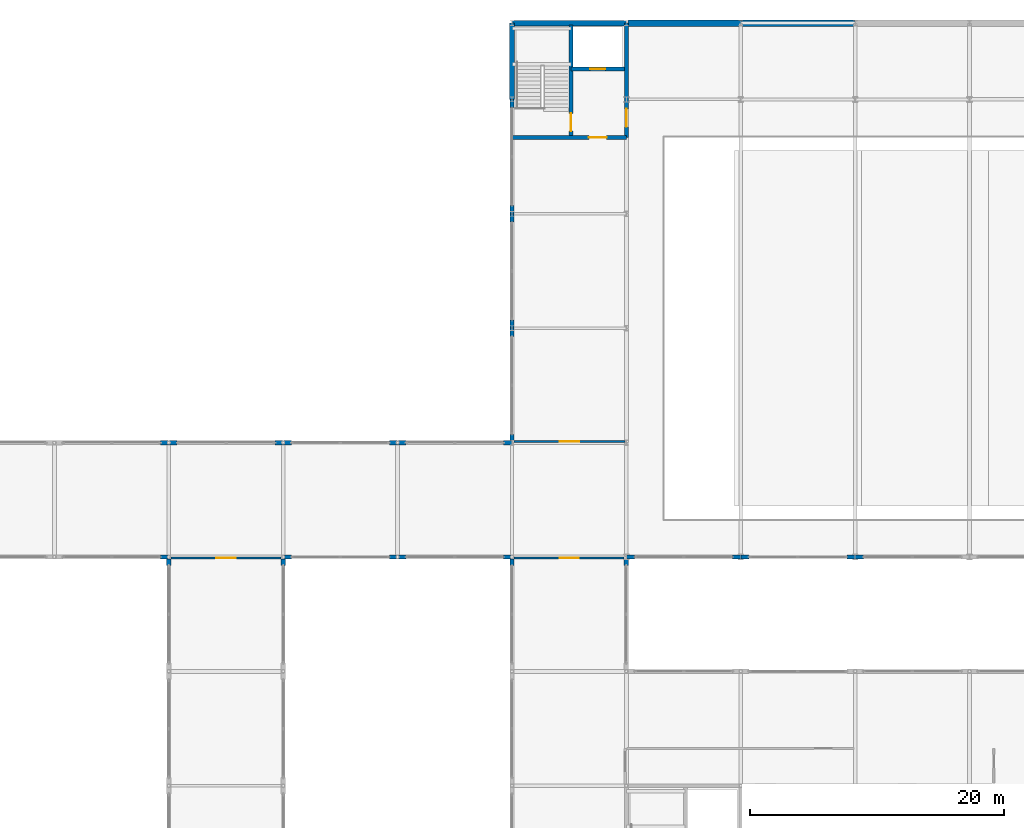
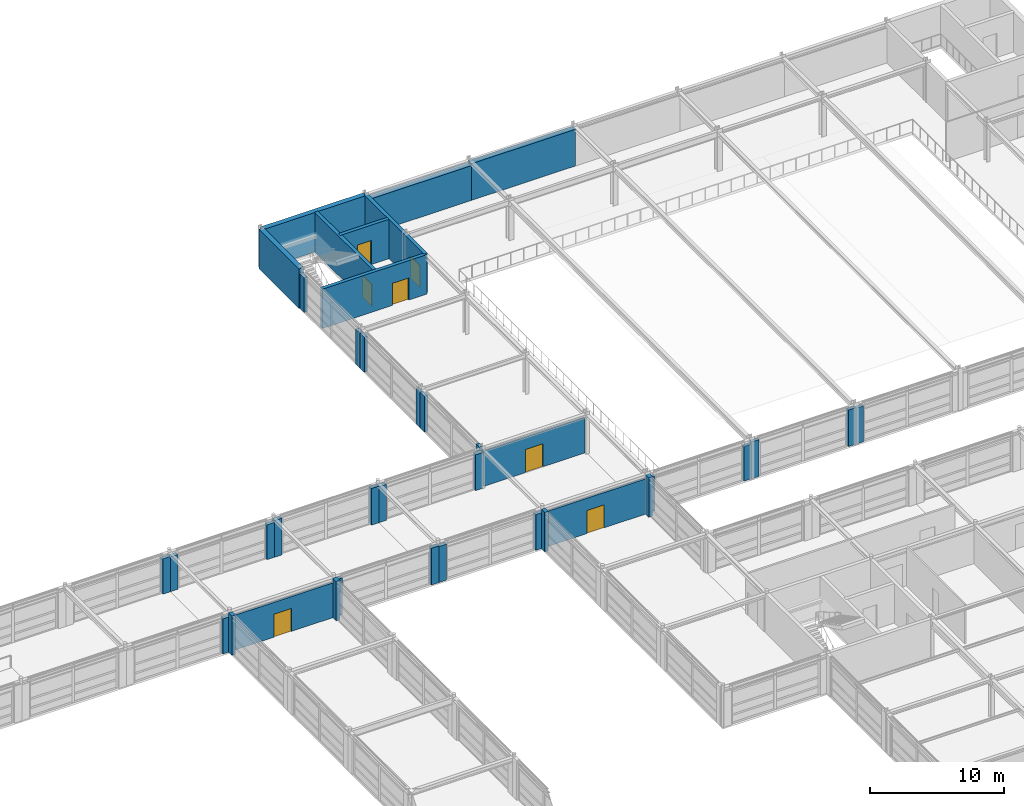
# One storey, part 69 of 79: 38 walls, 7 doors, 7 openings.
"""IFC4 building model written with IfcOpenShell, lengths in metres."""

from ifc_helpers import new_model, si_unit, direction, frame, frame_2d, origin, place, context, subcontext, project, spatial, rectangle, extrude, material, layer, layer_set, type_object, element, fill, save


model = new_model("IFC4")

# Units and contexts
model_context = context("Model", 3, precision=1e-05, world=origin(), true_north=direction((0.0, 1.0)))
body_context = subcontext(model_context, "Body", "Model", "MODEL_VIEW")
ifc_project = project(units=[si_unit("LENGTHUNIT", "METRE"), si_unit("AREAUNIT", "SQUARE_METRE"), si_unit("VOLUMEUNIT", "CUBIC_METRE"), si_unit("PLANEANGLEUNIT", "RADIAN"), si_unit("MASSUNIT", "GRAM", prefix="KILO")], contexts=[model_context])

# Site, building, storey
site_placement = place(None, origin())
site = spatial("IfcSite", under=ifc_project, at=site_placement, CompositionType="ELEMENT")
building_placement = place(site_placement, origin())
building = spatial("IfcBuilding", under=site, at=building_placement, Name="Palais des Congres Ocreval", CompositionType="ELEMENT")
storey_placement = place(building_placement, frame((0.0, 0.0, 4.320068359375)))
storey = spatial("IfcBuildingStorey", under=building, at=storey_placement, Name="L01", CompositionType="ELEMENT", Elevation=4.320068359375)

# Walls
ifc_material_1 = material(Name="Concrete C40/50", Category="concrete")
ifc_layer_1 = layer(ifc_material_1, 0.5)
ifc_layer_set_1 = layer_set([ifc_layer_1], Name="Acoustic Ballroom Wall 500 Concrete C40/50")
wall_type_1 = type_object("IfcWallType", Name="Acoustic Ballroom Wall 500 Concrete C40/50", PredefinedType="SOLIDWALL", material=ifc_layer_set_1)
wall_1_placement = place(storey_placement, frame((108.1298828125, 114.0, 0.0), z_axis=(0.0, 0.0, 1.0), x_axis=(1.0, 0.0, 0.0)))
element("IfcWall", 1, at=wall_1_placement, inside=storey, type_object=wall_type_1, Name="Exterior Wall EW01 L01", PredefinedType="SOLIDWALL", context=body_context, shape_type="SweptSolid", body=[
    extrude(rectangle(XDim=8.8701171875, YDim=0.5, at=frame_2d((4.43505859375, 0.0))), origin(), (0.0, 0.0, 1.0), 3.179931640625),
])
wall_2_placement = place(storey_placement, frame((117.0, 114.0, 0.0), z_axis=(0.0, 0.0, 1.0), x_axis=(1.0, 0.0, 0.0)))
element("IfcWall", 2, at=wall_2_placement, inside=storey, type_object=wall_type_1, Name="Exterior Wall EW01 L01", PredefinedType="SOLIDWALL", context=body_context, shape_type="SweptSolid", body=[
    extrude(rectangle(XDim=9.0, YDim=0.5, at=frame_2d((4.5, 0.0))), origin(), (0.0, 0.0, 1.0), 3.349853515625),
])
ifc_layer_2 = layer(ifc_material_1, 0.419921875)
ifc_layer_set_2 = layer_set([ifc_layer_2], Name="Congress Stone Facade Wall 420 Concrete C40/50")
wall_type_2 = type_object("IfcWallType", Name="Congress Stone Facade Wall 420 Concrete C40/50", PredefinedType="SOLIDWALL", material=ifc_layer_set_2)
wall_3_placement = place(storey_placement, frame((99.0, 108.0, 0.0), z_axis=(0.0, 0.0, 1.0), x_axis=(0.0, 1.0, 0.0)))
element("IfcWall", 3, at=wall_3_placement, inside=storey, type_object=wall_type_2, Name="Core Perimeter Shear Wall EW02 SC07 L01", PredefinedType="SOLIDWALL", context=body_context, shape_type="SweptSolid", body=[
    extrude(rectangle(XDim=6.0, YDim=0.419921875, at=frame_2d((3.0, 0.0))), origin(), (0.0, 0.0, 1.0), 3.599853515625),
])
wall_4_placement = place(storey_placement, frame((99.0, 114.0, 0.0), z_axis=(0.0, 0.0, 1.0), x_axis=(1.0, 0.0, 0.0)))
element("IfcWall", 4, at=wall_4_placement, inside=storey, type_object=wall_type_2, Name="Core Perimeter Shear Wall EW02 SC07 L01", PredefinedType="SOLIDWALL", context=body_context, shape_type="SweptSolid", body=[
    extrude(rectangle(XDim=9.0, YDim=0.419921875, at=frame_2d((4.5, 0.0))), origin(), (0.0, 0.0, 1.0), 3.599853515625),
])

# Wall, opening, door
ifc_layer_3 = layer(ifc_material_1, 0.300048828125)
ifc_layer_set_3 = layer_set([ifc_layer_3], Name="Core Shear Wall 300 Concrete C40/50")
wall_type_3 = type_object("IfcWallType", Name="Core Shear Wall 300 Concrete C40/50", PredefinedType="SHEAR", material=ifc_layer_set_3)
wall_5_placement = place(storey_placement, frame((99.0, 105.0, 0.0), z_axis=(0.0, 0.0, 1.0), x_axis=(1.0, 0.0, 0.0)))
wall_5 = element("IfcWall", 5, at=wall_5_placement, inside=storey, type_object=wall_type_3, Name="Core Shear Wall SC07 L01 S", PredefinedType="SHEAR", context=body_context, shape_type="SweptSolid", body=[
    extrude(rectangle(XDim=9.0, YDim=0.300048828125, at=frame_2d((4.5, 0.0))), origin(), (0.0, 0.0, 1.0), 3.599853515625),
])
opening_1_placement = place(wall_5_placement, frame((6.050048828125, 0.0, 0.0)))
opening_1 = element("IfcOpeningElement", 6, at=opening_1_placement, cuts=wall_5, Name="Opening D03", PredefinedType="OPENING", context=body_context, shape_type="SweptSolid", body=[
    extrude(rectangle(XDim=1.39990234375, YDim=2.02001953125, at=frame_2d((0.699951171875, 1.010009765625))), frame((0.0, 0.159912109375, 0.0), z_axis=(0.0, -1.0, 0.0), x_axis=(1.0, 0.0, 0.0)), (0.0, 0.0, 1.0), 0.320068359375),
])
ifc_material_2 = material(Name="Painted fire-rated steel", Category="steel")
door_type_1 = type_object("IfcDoorType", Name="Core Lobby Rated Door 1400x2020", OperationType="NOTDEFINED", PredefinedType="DOOR", material=ifc_material_2)
door_1_placement = place(opening_1_placement, origin())
door_1 = element("IfcDoor", 7, at=door_1_placement, inside=storey, type_object=door_type_1, Name="Lobby Entrance Door SC07 L01", OperationType="DOUBLE_DOOR_SINGLE_SWING", OverallHeight=2.02001953125, OverallWidth=1.39990234375, PredefinedType="DOOR", context=body_context, shape_type="SweptSolid", body=[
    extrude(rectangle(XDim=1.39990234375, YDim=2.02001953125, at=frame_2d((0.699951171875, 1.010009765625))), frame((0.0, 0.02490234375, 0.0), z_axis=(0.0, -1.0, 0.0), x_axis=(1.0, 0.0, 0.0)), (0.0, 0.0, 1.0), 0.050048828125),
])
fill(opening_1, door_1)

wall_6_placement = place(storey_placement, frame((108.0, 105.0, 0.0), z_axis=(0.0, 0.0, 1.0), x_axis=(0.0, 1.0, 0.0)))
wall_6 = element("IfcWall", 8, at=wall_6_placement, inside=storey, type_object=wall_type_3, Name="Core Shear Wall SC07 L01 E", PredefinedType="SHEAR", context=body_context, shape_type="SweptSolid", body=[
    extrude(rectangle(XDim=9.0, YDim=0.300048828125, at=frame_2d((4.5, 0.0))), origin(), (0.0, 0.0, 1.0), 3.599853515625),
])
opening_2_placement = place(wall_6_placement, frame((0.85009765625, 0.0, 0.0)))
opening_2 = element("IfcOpeningElement", 9, at=opening_2_placement, cuts=wall_6, Name="Opening D03", PredefinedType="OPENING", context=body_context, shape_type="SweptSolid", body=[
    extrude(rectangle(XDim=1.39990234375, YDim=2.02001953125, at=frame_2d((0.699951171875, 1.010009765625))), frame((0.0, 0.159912109375, 0.0), z_axis=(0.0, -1.0, 0.0), x_axis=(1.0, 0.0, 0.0)), (0.0, 0.0, 1.0), 0.320068359375),
])
door_2_placement = place(opening_2_placement, origin())
door_2 = element("IfcDoor", 10, at=door_2_placement, inside=storey, type_object=door_type_1, Name="Ballroom Concourse Lobby Door SC07 L01", OperationType="SINGLE_SWING_LEFT", OverallHeight=2.02001953125, OverallWidth=1.39990234375, PredefinedType="DOOR", context=body_context, shape_type="SweptSolid", body=[
    extrude(rectangle(XDim=1.39990234375, YDim=2.02001953125, at=frame_2d((0.699951171875, 1.010009765625))), frame((0.0, 0.02490234375, 0.0), z_axis=(0.0, -1.0, 0.0), x_axis=(1.0, 0.0, 0.0)), (0.0, 0.0, 1.0), 0.050048828125),
])
fill(opening_2, door_2)

wall_7_placement = place(storey_placement, frame((103.64990234375, 105.14990234375, 0.0), z_axis=(0.0, 0.0, 1.0), x_axis=(0.0, 1.0, 0.0)))
wall_7 = element("IfcWall", 11, at=wall_7_placement, inside=storey, type_object=wall_type_3, Name="Core Spine Shear Wall SC07 L01", PredefinedType="SHEAR", context=body_context, shape_type="SweptSolid", body=[
    extrude(rectangle(XDim=8.7001953125, YDim=0.300048828125, at=frame_2d((4.35009765625, 0.0))), origin(), (0.0, 0.0, 1.0), 3.599853515625),
])
opening_3_placement = place(wall_7_placement, frame((0.35009765625, 0.0, 0.0)))
opening_3 = element("IfcOpeningElement", 12, at=opening_3_placement, cuts=wall_7, Name="Opening D03", PredefinedType="OPENING", context=body_context, shape_type="SweptSolid", body=[
    extrude(rectangle(XDim=1.39990234375, YDim=2.02001953125, at=frame_2d((0.699951171875, 1.010009765625))), frame((0.0, 0.159912109375, 0.0), z_axis=(0.0, -1.0, 0.0), x_axis=(1.0, 0.0, 0.0)), (0.0, 0.0, 1.0), 0.320068359375),
])
door_3_placement = place(opening_3_placement, origin())
door_3 = element("IfcDoor", 13, at=door_3_placement, inside=storey, type_object=door_type_1, Name="Protected Exit Stair Door ST07 L01", OperationType="SINGLE_SWING_LEFT", OverallHeight=2.02001953125, OverallWidth=1.39990234375, PredefinedType="DOOR", context=body_context, shape_type="SweptSolid", body=[
    extrude(rectangle(XDim=1.39990234375, YDim=2.02001953125, at=frame_2d((0.699951171875, 1.010009765625))), frame((0.0, 0.02490234375, 0.0), z_axis=(0.0, -1.0, 0.0), x_axis=(1.0, 0.0, 0.0)), (0.0, 0.0, 1.0), 0.050048828125),
])
fill(opening_3, door_3)

wall_8_placement = place(storey_placement, frame((103.64990234375, 110.39990234375, 0.0), z_axis=(0.0, 0.0, 1.0), x_axis=(1.0, 0.0, 0.0)))
wall_8 = element("IfcWall", 14, at=wall_8_placement, inside=storey, type_object=wall_type_3, Name="Lift Shaft Front Wall SC07 L01", PredefinedType="SHEAR", context=body_context, shape_type="SweptSolid", body=[
    extrude(rectangle(XDim=4.2001953125, YDim=0.300048828125, at=frame_2d((2.10009765625, 0.0))), origin(), (0.0, 0.0, 1.0), 3.599853515625),
])
opening_4_placement = place(wall_8_placement, frame((1.5, 0.0, 0.0)))
opening_4 = element("IfcOpeningElement", 15, at=opening_4_placement, cuts=wall_8, Name="Opening LD02", PredefinedType="OPENING", context=body_context, shape_type="SweptSolid", body=[
    extrude(rectangle(XDim=1.199951171875, YDim=2.199951171875, at=frame_2d((0.60009765625, 1.10009765625))), frame((0.0, 0.159912109375, 0.0), z_axis=(0.0, -1.0, 0.0), x_axis=(1.0, 0.0, 0.0)), (0.0, 0.0, 1.0), 0.320068359375),
])
ifc_material_3 = material(Name="Anodized bronze steel", Category="steel")
door_type_2 = type_object("IfcDoorType", Name="Passenger and Service Lift Sliding Door 1200x2200", OperationType="NOTDEFINED", PredefinedType="DOOR", material=ifc_material_3)
door_4_placement = place(opening_4_placement, origin())
door_4 = element("IfcDoor", 16, at=door_4_placement, inside=storey, type_object=door_type_2, Name="Lift Landing Sliding Door CL2 L01", OperationType="DOUBLE_DOOR_SLIDING", OverallHeight=2.199951171875, OverallWidth=1.199951171875, PredefinedType="DOOR", context=body_context, shape_type="SweptSolid", body=[
    extrude(rectangle(XDim=1.199951171875, YDim=2.199951171875, at=frame_2d((0.60009765625, 1.10009765625))), frame((0.0, 0.02490234375, 0.0), z_axis=(0.0, -1.0, 0.0), x_axis=(1.0, 0.0, 0.0)), (0.0, 0.0, 1.0), 0.050048828125),
])
fill(opening_4, door_4)

ifc_material_4 = material(Name="Gypsum acoustic partition")
ifc_layer_4 = layer(ifc_material_4, 0.159912109375)
ifc_layer_set_4 = layer_set([ifc_layer_4], Name="Corridor Fire Partition 160 Gypsum (Gypsum acoustic partition)")
wall_type_4 = type_object("IfcWallType", Name="Corridor Fire Partition 160 Gypsum", PredefinedType="PARTITIONING", material=ifc_layer_set_4)
wall_9_placement = place(storey_placement, frame((72.175048828125, 71.909912109375, 0.0), z_axis=(0.0, 0.0, 1.0), x_axis=(1.0, 0.0, 0.0)))
wall_9 = element("IfcWall", 17, at=wall_9_placement, inside=storey, type_object=wall_type_4, Name="Interior Partition IW03 L01", PredefinedType="PARTITIONING", context=body_context, shape_type="SweptSolid", body=[
    extrude(rectangle(XDim=8.64990234375, YDim=0.159912109375, at=frame_2d((4.324951171875, 0.0))), origin(), (0.0, 0.0, 1.0), 3.179931640625),
])
opening_5_placement = place(wall_9_placement, frame((3.574951171875, 0.0, 0.0)))
opening_5 = element("IfcOpeningElement", 18, at=opening_5_placement, cuts=wall_9, Name="Opening D04", PredefinedType="OPENING", context=body_context, shape_type="SweptSolid", body=[
    extrude(rectangle(XDim=1.5, YDim=2.10009765625, at=frame_2d((0.75, 1.050048828125))), frame((0.0, 0.08984375, 0.0), z_axis=(0.0, -1.0, 0.0), x_axis=(1.0, 0.0, 0.0)), (0.0, 0.0, 1.0), 0.179931640625),
])
ifc_material_5 = material(Name="Solid French oak fire door", Category="wood")
door_type_3 = type_object("IfcDoorType", Name="Corridor Compartment Double Door 1500x2100", OperationType="NOTDEFINED", PredefinedType="DOOR", material=ifc_material_5)
door_5_placement = place(opening_5_placement, origin())
door_5 = element("IfcDoor", 19, at=door_5_placement, inside=storey, type_object=door_type_3, Name="Interior Door D04 L01", OperationType="DOUBLE_DOOR_SINGLE_SWING", OverallHeight=2.10009765625, OverallWidth=1.5, PredefinedType="DOOR", context=body_context, shape_type="SweptSolid", body=[
    extrude(rectangle(XDim=1.5, YDim=2.10009765625, at=frame_2d((0.75, 1.050048828125))), frame((0.0, 0.02490234375, 0.0), z_axis=(0.0, -1.0, 0.0), x_axis=(1.0, 0.0, 0.0)), (0.0, 0.0, 1.0), 0.050048828125),
])
fill(opening_5, door_5)

wall_10_placement = place(storey_placement, frame((99.175048828125, 71.909912109375, 0.0), z_axis=(0.0, 0.0, 1.0), x_axis=(1.0, 0.0, 0.0)))
wall_10 = element("IfcWall", 20, at=wall_10_placement, inside=storey, type_object=wall_type_4, Name="Interior Partition IW03 L01", PredefinedType="PARTITIONING", context=body_context, shape_type="SweptSolid", body=[
    extrude(rectangle(XDim=8.64990234375, YDim=0.159912109375, at=frame_2d((4.324951171875, 0.0))), origin(), (0.0, 0.0, 1.0), 3.219970703125),
])
opening_6_placement = place(wall_10_placement, frame((3.574951171875, 0.0, 0.0)))
opening_6 = element("IfcOpeningElement", 21, at=opening_6_placement, cuts=wall_10, Name="Opening D04", PredefinedType="OPENING", context=body_context, shape_type="SweptSolid", body=[
    extrude(rectangle(XDim=1.5, YDim=2.10009765625, at=frame_2d((0.75, 1.050048828125))), frame((0.0, 0.08984375, 0.0), z_axis=(0.0, -1.0, 0.0), x_axis=(1.0, 0.0, 0.0)), (0.0, 0.0, 1.0), 0.179931640625),
])
door_6_placement = place(opening_6_placement, origin())
door_6 = element("IfcDoor", 22, at=door_6_placement, inside=storey, type_object=door_type_3, Name="Interior Door D04 L01", OperationType="DOUBLE_DOOR_SINGLE_SWING", OverallHeight=2.10009765625, OverallWidth=1.5, PredefinedType="DOOR", context=body_context, shape_type="SweptSolid", body=[
    extrude(rectangle(XDim=1.5, YDim=2.10009765625, at=frame_2d((0.75, 1.050048828125))), frame((0.0, 0.02490234375, 0.0), z_axis=(0.0, -1.0, 0.0), x_axis=(1.0, 0.0, 0.0)), (0.0, 0.0, 1.0), 0.050048828125),
])
fill(opening_6, door_6)

wall_11_placement = place(storey_placement, frame((99.14501953125, 81.090087890625, 0.0), z_axis=(0.0, 0.0, 1.0), x_axis=(1.0, 0.0, 0.0)))
wall_11 = element("IfcWall", 23, at=wall_11_placement, inside=storey, type_object=wall_type_4, Name="Interior Partition IW03 L01", PredefinedType="PARTITIONING", context=body_context, shape_type="SweptSolid", body=[
    extrude(rectangle(XDim=8.7548828125, YDim=0.159912109375, at=frame_2d((4.37744140625, 0.0))), origin(), (0.0, 0.0, 1.0), 3.219970703125),
])
opening_7_placement = place(wall_11_placement, frame((3.62744140625, 0.0, 0.0)))
opening_7 = element("IfcOpeningElement", 24, at=opening_7_placement, cuts=wall_11, Name="Opening D04", PredefinedType="OPENING", context=body_context, shape_type="SweptSolid", body=[
    extrude(rectangle(XDim=1.5, YDim=2.10009765625, at=frame_2d((0.75, 1.050048828125))), frame((0.0, 0.08984375, 0.0), z_axis=(0.0, -1.0, 0.0), x_axis=(1.0, 0.0, 0.0)), (0.0, 0.0, 1.0), 0.179931640625),
])
door_7_placement = place(opening_7_placement, origin())
door_7 = element("IfcDoor", 25, at=door_7_placement, inside=storey, type_object=door_type_3, Name="Interior Door D04 L01", OperationType="DOUBLE_DOOR_SINGLE_SWING", OverallHeight=2.10009765625, OverallWidth=1.5, PredefinedType="DOOR", context=body_context, shape_type="SweptSolid", body=[
    extrude(rectangle(XDim=1.5, YDim=2.10009765625, at=frame_2d((0.75, 1.050048828125))), frame((0.0, 0.02490234375, 0.0), z_axis=(0.0, -1.0, 0.0), x_axis=(1.0, 0.0, 0.0)), (0.0, 0.0, 1.0), 0.050048828125),
])
fill(opening_7, door_7)

# Walls
ifc_layer_5 = layer(ifc_material_1, 0.340087890625)
ifc_layer_set_5 = layer_set([ifc_layer_5], Name="Ochre Mineral-Lime Courtyard Wall 340 Concrete C40/50")
wall_type_5 = type_object("IfcWallType", Name="Ochre Mineral-Lime Courtyard Wall 340 Concrete C40/50", PredefinedType="SOLIDWALL", material=ifc_layer_set_5)
wall_12_placement = place(storey_placement, frame((71.35009765625, 81.0, 0.0), z_axis=(0.0, 0.0, 1.0), x_axis=(1.0, 0.0, 0.0)))
element("IfcWall", 26, at=wall_12_placement, inside=storey, type_object=wall_type_5, Name="Facade Pier EW04 L01", PredefinedType="SOLIDWALL", context=body_context, shape_type="SweptSolid", body=[
    extrude(rectangle(XDim=0.64990234375, YDim=0.340087890625, at=frame_2d((0.324951171875, 0.0))), origin(), (0.0, 0.0, 1.0), 3.219970703125),
])
for number, where, z_axis, x_axis, name in (
    (27, (72.0, 81.0, 0.0), (0.0, 0.0, 1.0), (1.0, 0.0, 0.0), "Facade Pier EW04 L01"),
    (28, (80.35009765625, 81.0, 0.0), (0.0, 0.0, 1.0), (1.0, 0.0, 0.0), "Facade Pier EW04 L01"),
):
    element("IfcWall", number, at=place(storey_placement, frame(where, z_axis=z_axis, x_axis=x_axis)), inside=storey, type_object=wall_type_5, Name=name, PredefinedType="SOLIDWALL", context=body_context, shape_type="SweptSolid", body=[
        extrude(rectangle(XDim=0.64990234375, YDim=0.340087890625, at=frame_2d((0.324951171875, 0.0))), origin(), (0.0, 0.0, 1.0), 3.179931640625),
    ])
for number, where, z_axis, x_axis, name in (
    (29, (81.0, 81.0, 0.0), (0.0, 0.0, 1.0), (1.0, 0.0, 0.0), "Facade Pier EW04 L01"),
    (30, (89.35009765625, 81.0, 0.0), (0.0, 0.0, 1.0), (1.0, 0.0, 0.0), "Facade Pier EW04 L01"),
):
    element("IfcWall", number, at=place(storey_placement, frame(where, z_axis=z_axis, x_axis=x_axis)), inside=storey, type_object=wall_type_5, Name=name, PredefinedType="SOLIDWALL", context=body_context, shape_type="SweptSolid", body=[
        extrude(rectangle(XDim=0.64990234375, YDim=0.340087890625, at=frame_2d((0.324951171875, 0.0))), origin(), (0.0, 0.0, 1.0), 3.349853515625),
    ])
for number, where, z_axis, x_axis, name in (
    (31, (90.0, 81.0, 0.0), (0.0, 0.0, 1.0), (1.0, 0.0, 0.0), "Facade Pier EW04 L01"),
    (32, (98.35009765625, 81.0, 0.0), (0.0, 0.0, 1.0), (1.0, 0.0, 0.0), "Facade Pier EW04 L01"),
):
    element("IfcWall", number, at=place(storey_placement, frame(where, z_axis=z_axis, x_axis=x_axis)), inside=storey, type_object=wall_type_5, Name=name, PredefinedType="SOLIDWALL", context=body_context, shape_type="SweptSolid", body=[
        extrude(rectangle(XDim=0.64990234375, YDim=0.340087890625, at=frame_2d((0.324951171875, 0.0))), origin(), (0.0, 0.0, 1.0), 3.280029296875),
    ])
for number, where, z_axis, x_axis, name in (
    (33, (108.0, 71.844970703125, 0.0), (0.0, 0.0, 1.0), (0.0, -1.0, 0.0), "Facade Pier EW04 L01"),
    (34, (99.0, 71.35009765625, 0.0), (0.0, 0.0, 1.0), (0.0, 1.0, 0.0), "Facade Pier EW04 L01"),
):
    element("IfcWall", number, at=place(storey_placement, frame(where, z_axis=z_axis, x_axis=x_axis)), inside=storey, type_object=wall_type_5, Name=name, PredefinedType="SOLIDWALL", context=body_context, shape_type="SweptSolid", body=[
        extrude(rectangle(XDim=0.494873046875, YDim=0.340087890625, at=frame_2d((0.24755859375, 0.0))), origin(), (0.0, 0.0, 1.0), 3.58984375),
    ])
for number, where, z_axis, x_axis, name in (
    (35, (99.0, 72.0, 0.0), (0.0, 0.0, 1.0), (-1.0, 0.0, 0.0), "Facade Pier EW04 L01"),
    (36, (90.64990234375, 72.0, 0.0), (0.0, 0.0, 1.0), (-1.0, 0.0, 0.0), "Facade Pier EW04 L01"),
):
    element("IfcWall", number, at=place(storey_placement, frame(where, z_axis=z_axis, x_axis=x_axis)), inside=storey, type_object=wall_type_5, Name=name, PredefinedType="SOLIDWALL", context=body_context, shape_type="SweptSolid", body=[
        extrude(rectangle(XDim=0.64990234375, YDim=0.340087890625, at=frame_2d((0.324951171875, 0.0))), origin(), (0.0, 0.0, 1.0), 3.280029296875),
    ])
for number, where, z_axis, x_axis, name in (
    (37, (90.0, 72.0, 0.0), (0.0, 0.0, 1.0), (-1.0, 0.0, 0.0), "Facade Pier EW04 L01"),
    (38, (81.64990234375, 72.0, 0.0), (0.0, 0.0, 1.0), (-1.0, 0.0, 0.0), "Facade Pier EW04 L01"),
):
    element("IfcWall", number, at=place(storey_placement, frame(where, z_axis=z_axis, x_axis=x_axis)), inside=storey, type_object=wall_type_5, Name=name, PredefinedType="SOLIDWALL", context=body_context, shape_type="SweptSolid", body=[
        extrude(rectangle(XDim=0.64990234375, YDim=0.340087890625, at=frame_2d((0.324951171875, 0.0))), origin(), (0.0, 0.0, 1.0), 3.349853515625),
    ])
for number, where, z_axis, x_axis, name in (
    (39, (81.0, 71.844970703125, 0.0), (0.0, 0.0, 1.0), (0.0, -1.0, 0.0), "Facade Pier EW04 L01"),
    (40, (72.0, 71.35009765625, 0.0), (0.0, 0.0, 1.0), (0.0, 1.0, 0.0), "Facade Pier EW04 L01"),
):
    element("IfcWall", number, at=place(storey_placement, frame(where, z_axis=z_axis, x_axis=x_axis)), inside=storey, type_object=wall_type_5, Name=name, PredefinedType="SOLIDWALL", context=body_context, shape_type="SweptSolid", body=[
        extrude(rectangle(XDim=0.494873046875, YDim=0.340087890625, at=frame_2d((0.24755859375, 0.0))), origin(), (0.0, 0.0, 1.0), 3.58984375),
    ])
wall_13_placement = place(storey_placement, frame((72.0, 72.0, 0.0), z_axis=(0.0, 0.0, 1.0), x_axis=(-1.0, 0.0, 0.0)))
element("IfcWall", 41, at=wall_13_placement, inside=storey, type_object=wall_type_5, Name="Facade Pier EW04 L01", PredefinedType="SOLIDWALL", context=body_context, shape_type="SweptSolid", body=[
    extrude(rectangle(XDim=0.64990234375, YDim=0.340087890625, at=frame_2d((0.324951171875, 0.0))), origin(), (0.0, 0.0, 1.0), 3.219970703125),
])
ifc_layer_6 = layer(ifc_material_1, 0.280029296875)
ifc_layer_set_6 = layer_set([ifc_layer_6], Name="Terracotta Mineral-Lime Facade Wall 280 Concrete C40/50")
wall_type_6 = type_object("IfcWallType", Name="Terracotta Mineral-Lime Facade Wall 280 Concrete C40/50", PredefinedType="SOLIDWALL", material=ifc_layer_set_6)
wall_14_placement = place(storey_placement, frame((99.0, 81.155029296875, 0.0), z_axis=(0.0, 0.0, 1.0), x_axis=(0.0, 1.0, 0.0)))
element("IfcWall", 42, at=wall_14_placement, inside=storey, type_object=wall_type_6, Name="Facade Pier EW05 L01", PredefinedType="SOLIDWALL", context=body_context, shape_type="SweptSolid", body=[
    extrude(rectangle(XDim=0.494873046875, YDim=0.280029296875, at=frame_2d((0.24755859375, 0.0))), origin(), (0.0, 0.0, 1.0), 3.599853515625),
])
wall_15_placement = place(storey_placement, frame((99.0, 89.35009765625, 0.0), z_axis=(0.0, 0.0, 1.0), x_axis=(0.0, 1.0, 0.0)))
element("IfcWall", 43, at=wall_15_placement, inside=storey, type_object=wall_type_6, Name="Facade Pier EW05 L01", PredefinedType="SOLIDWALL", context=body_context, shape_type="SweptSolid", body=[
    extrude(rectangle(XDim=0.64990234375, YDim=0.280029296875, at=frame_2d((0.324951171875, 0.0))), origin(), (0.0, 0.0, 1.0), 3.280029296875),
])
for number, where, z_axis, x_axis, name in (
    (44, (99.0, 90.0, 0.0), (0.0, 0.0, 1.0), (0.0, 1.0, 0.0), "Facade Pier EW05 L01"),
    (45, (99.0, 98.35009765625, 0.0), (0.0, 0.0, 1.0), (0.0, 1.0, 0.0), "Facade Pier EW05 L01"),
):
    element("IfcWall", number, at=place(storey_placement, frame(where, z_axis=z_axis, x_axis=x_axis)), inside=storey, type_object=wall_type_6, Name=name, PredefinedType="SOLIDWALL", context=body_context, shape_type="SweptSolid", body=[
        extrude(rectangle(XDim=0.64990234375, YDim=0.280029296875, at=frame_2d((0.324951171875, 0.0))), origin(), (0.0, 0.0, 1.0), 3.219970703125),
    ])
for number, where, z_axis, x_axis, name in (
    (46, (99.0, 99.0, 0.0), (0.0, 0.0, 1.0), (0.0, 1.0, 0.0), "Facade Pier EW05 L01"),
    (47, (99.0, 107.35009765625, 0.0), (0.0, 0.0, 1.0), (0.0, 1.0, 0.0), "Facade Pier EW05 L01"),
):
    element("IfcWall", number, at=place(storey_placement, frame(where, z_axis=z_axis, x_axis=x_axis)), inside=storey, type_object=wall_type_6, Name=name, PredefinedType="SOLIDWALL", context=body_context, shape_type="SweptSolid", body=[
        extrude(rectangle(XDim=0.64990234375, YDim=0.280029296875, at=frame_2d((0.324951171875, 0.0))), origin(), (0.0, 0.0, 1.0), 3.179931640625),
    ])
wall_16_placement = place(storey_placement, frame((126.64990234375, 72.0, 0.0), z_axis=(0.0, 0.0, 1.0), x_axis=(-1.0, 0.0, 0.0)))
element("IfcWall", 48, at=wall_16_placement, inside=storey, type_object=wall_type_6, Name="Facade Pier EW05 L01", PredefinedType="SOLIDWALL", context=body_context, shape_type="SweptSolid", body=[
    extrude(rectangle(XDim=0.64990234375, YDim=0.280029296875, at=frame_2d((0.324951171875, 0.0))), origin(), (0.0, 0.0, 1.0), 3.280029296875),
])
for number, where, z_axis, x_axis, name in (
    (49, (126.0, 72.0, 0.0), (0.0, 0.0, 1.0), (-1.0, 0.0, 0.0), "Facade Pier EW05 L01"),
    (50, (117.64990234375, 72.0, 0.0), (0.0, 0.0, 1.0), (-1.0, 0.0, 0.0), "Facade Pier EW05 L01"),
):
    element("IfcWall", number, at=place(storey_placement, frame(where, z_axis=z_axis, x_axis=x_axis)), inside=storey, type_object=wall_type_6, Name=name, PredefinedType="SOLIDWALL", context=body_context, shape_type="SweptSolid", body=[
        extrude(rectangle(XDim=0.64990234375, YDim=0.280029296875, at=frame_2d((0.324951171875, 0.0))), origin(), (0.0, 0.0, 1.0), 3.349853515625),
    ])
for number, where, z_axis, x_axis, name in (
    (51, (117.0, 72.0, 0.0), (0.0, 0.0, 1.0), (-1.0, 0.0, 0.0), "Facade Pier EW05 L01"),
    (52, (108.64990234375, 72.0, 0.0), (0.0, 0.0, 1.0), (-1.0, 0.0, 0.0), "Facade Pier EW05 L01"),
):
    element("IfcWall", number, at=place(storey_placement, frame(where, z_axis=z_axis, x_axis=x_axis)), inside=storey, type_object=wall_type_6, Name=name, PredefinedType="SOLIDWALL", context=body_context, shape_type="SweptSolid", body=[
        extrude(rectangle(XDim=0.64990234375, YDim=0.280029296875, at=frame_2d((0.324951171875, 0.0))), origin(), (0.0, 0.0, 1.0), 3.179931640625),
    ])

save(model, "model.ifc")
